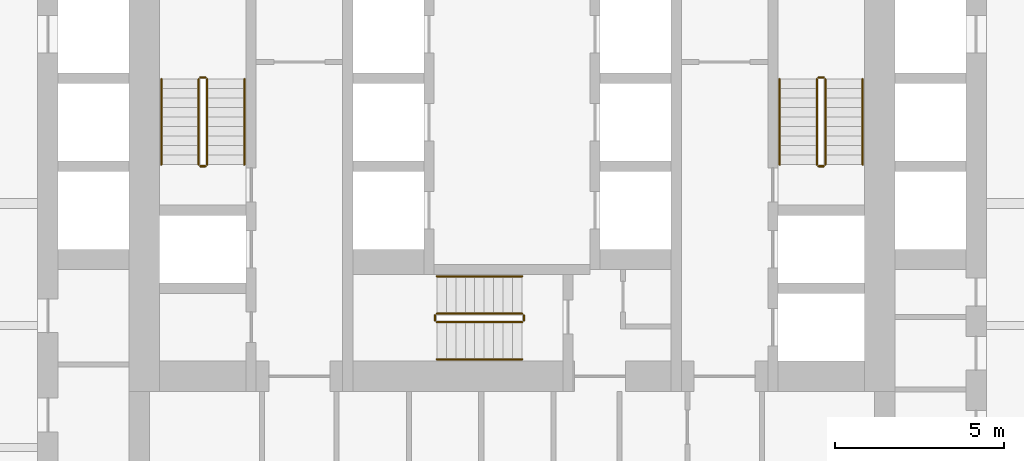
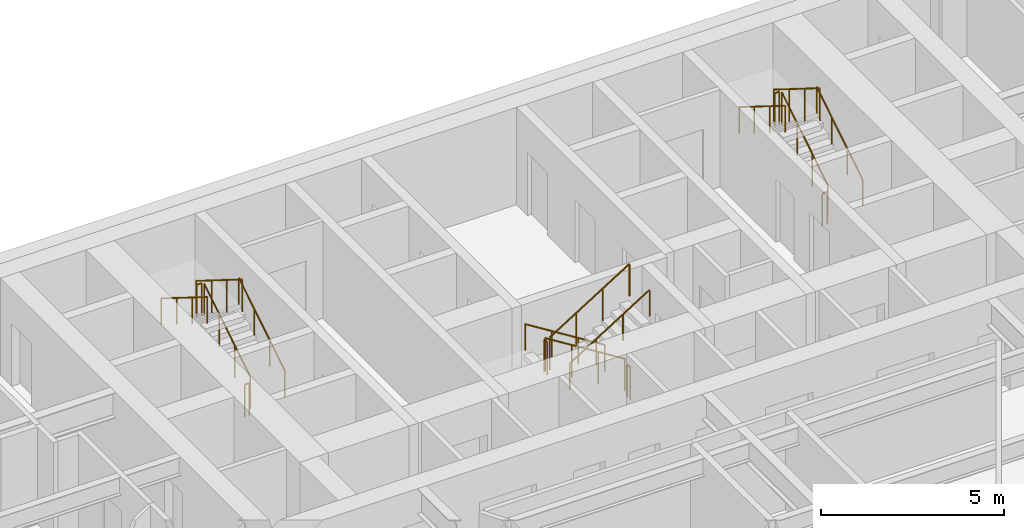
# One storey, part 9 of 10: 18 railings.
"""IFC4 building model written with IfcOpenShell, lengths in metres."""

from ifc_helpers import new_model, si_unit, direction, frame, origin, origin_2d, place, context, subcontext, project, spatial, circle, extrude, material, type_object, element, save


model = new_model("IFC4")

# Units and contexts
model_context = context("Model", 3, precision=1e-05, world=origin(), true_north=direction((0.0, 1.0)))
body_context = subcontext(model_context, "Body", "Model", "MODEL_VIEW")
ifc_project = project(units=[si_unit("LENGTHUNIT", "METRE"), si_unit("AREAUNIT", "SQUARE_METRE"), si_unit("VOLUMEUNIT", "CUBIC_METRE"), si_unit("PLANEANGLEUNIT", "RADIAN"), si_unit("MASSUNIT", "GRAM", prefix="KILO")], contexts=[model_context])

# Site, building, storey
site_placement = place(None, origin())
site = spatial("IfcSite", under=ifc_project, at=site_placement, CompositionType="ELEMENT")
building_placement = place(site_placement, origin())
building = spatial("IfcBuilding", under=site, at=building_placement, Name="Aloe Facet Convention Tower", CompositionType="ELEMENT")
storey_placement = place(building_placement, frame((0.0, 0.0, 73.5)))
storey = spatial("IfcBuildingStorey", under=building, at=storey_placement, Name="L17", CompositionType="ELEMENT", Elevation=73.5)

# Railings
ifc_material_1 = material(Name="Steel S355 balustrade", Category="steel")
railing_type_1 = type_object("IfcRailingType", Name="CR-RL-GUARD", PredefinedType="GUARDRAIL", material=ifc_material_1)
railing_1_placement = place(storey_placement, frame((71.0, 128.949951171875, 0.175048828125)))
element("IfcRailing", 1, at=railing_1_placement, inside=storey, type_object=railing_type_1, Name="L17 ST1 stair guard 1", PredefinedType="GUARDRAIL", context=body_context, shape_type="SweptSolid", body=[
    extrude(circle(Radius=0.02392578125, at=origin_2d()), frame((0.0, 0.0, 1.076171875), z_axis=(0.0, 0.848007534815, 0.529984170421), x_axis=(-1.0, 0.0, 0.0)), (0.0, 0.0, 1.0), 2.9716796875),
    extrude(circle(Radius=0.02099609375, at=origin_2d()), origin(), (0.0, 0.0, 1.0), 1.052001953125),
    extrude(circle(Radius=0.02099609375, at=origin_2d()), frame((0.0, 0.840087890625, 0.52490234375)), (0.0, 0.0, 1.0), 1.052001953125),
    extrude(circle(Radius=0.02099609375, at=origin_2d()), frame((0.0, 1.679931640625, 1.050048828125)), (0.0, 0.0, 1.0), 1.052001953125),
    extrude(circle(Radius=0.02099609375, at=origin_2d()), frame((0.0, 2.52001953125, 1.574951171875)), (0.0, 0.0, 1.0), 1.052001953125),
])
railing_2_placement = place(storey_placement, frame((70.949951171875, 131.52001953125, 1.75)))
element("IfcRailing", 2, at=railing_2_placement, inside=storey, type_object=railing_type_1, Name="L17 ST1 stair guard 2", PredefinedType="GUARDRAIL", context=body_context, shape_type="SweptSolid", body=[
    extrude(circle(Radius=0.02392578125, at=origin_2d()), frame((0.0, 0.0, 1.076171875), z_axis=(-1.0, 0.0, 0.0), x_axis=(0.0, -1.0, 0.0)), (0.0, 0.0, 1.0), 0.14990234375),
    extrude(circle(Radius=0.02099609375, at=origin_2d()), origin(), (0.0, 0.0, 1.0), 1.052001953125),
    extrude(circle(Radius=0.02099609375, at=origin_2d()), frame((-0.14990234375, 0.0, 0.0)), (0.0, 0.0, 1.0), 1.052001953125),
])
railing_3_placement = place(storey_placement, frame((70.75, 131.469970703125, 1.925048828125)))
element("IfcRailing", 3, at=railing_3_placement, inside=storey, type_object=railing_type_1, Name="L17 ST1 stair guard 3", PredefinedType="GUARDRAIL", context=body_context, shape_type="SweptSolid", body=[
    extrude(circle(Radius=0.02392578125, at=origin_2d()), frame((0.0, 0.0, 1.076171875), z_axis=(0.0, -0.848007534815, 0.529984170421), x_axis=(1.0, 0.0, 0.0)), (0.0, 0.0, 1.0), 2.9716796875),
    extrude(circle(Radius=0.02099609375, at=origin_2d()), origin(), (0.0, 0.0, 1.0), 1.052001953125),
    extrude(circle(Radius=0.02099609375, at=origin_2d()), frame((0.0, -0.840087890625, 0.52490234375)), (0.0, 0.0, 1.0), 1.052001953125),
    extrude(circle(Radius=0.02099609375, at=origin_2d()), frame((0.0, -1.679931640625, 1.050048828125)), (0.0, 0.0, 1.0), 1.052001953125),
    extrude(circle(Radius=0.02099609375, at=origin_2d()), frame((0.0, -2.52001953125, 1.574951171875)), (0.0, 0.0, 1.0), 1.052001953125),
])
railing_4_placement = place(storey_placement, frame((70.949951171875, 128.89990234375, 0.0)))
element("IfcRailing", 4, at=railing_4_placement, inside=storey, type_object=railing_type_1, Name="L17 ST1 stair guard 4", PredefinedType="GUARDRAIL", context=body_context, shape_type="SweptSolid", body=[
    extrude(circle(Radius=0.02392578125, at=origin_2d()), frame((0.0, 0.0, 1.076171875), z_axis=(-1.0, 0.0, 0.0), x_axis=(0.0, -1.0, 0.0)), (0.0, 0.0, 1.0), 0.14990234375),
    extrude(circle(Radius=0.02099609375, at=origin_2d()), origin(), (0.0, 0.0, 1.0), 1.052001953125),
    extrude(circle(Radius=0.02099609375, at=origin_2d()), frame((-0.14990234375, 0.0, 0.0)), (0.0, 0.0, 1.0), 1.052001953125),
])
railing_5_placement = place(storey_placement, frame((89.25, 128.949951171875, 0.175048828125)))
element("IfcRailing", 5, at=railing_5_placement, inside=storey, type_object=railing_type_1, Name="L17 ST2 stair guard 1", PredefinedType="GUARDRAIL", context=body_context, shape_type="SweptSolid", body=[
    extrude(circle(Radius=0.02392578125, at=origin_2d()), frame((0.0, 0.0, 1.076171875), z_axis=(0.0, 0.848007534815, 0.529984170421), x_axis=(-1.0, 0.0, 0.0)), (0.0, 0.0, 1.0), 2.9716796875),
    extrude(circle(Radius=0.02099609375, at=origin_2d()), origin(), (0.0, 0.0, 1.0), 1.052001953125),
    extrude(circle(Radius=0.02099609375, at=origin_2d()), frame((0.0, 0.840087890625, 0.52490234375)), (0.0, 0.0, 1.0), 1.052001953125),
    extrude(circle(Radius=0.02099609375, at=origin_2d()), frame((0.0, 1.679931640625, 1.050048828125)), (0.0, 0.0, 1.0), 1.052001953125),
    extrude(circle(Radius=0.02099609375, at=origin_2d()), frame((0.0, 2.52001953125, 1.574951171875)), (0.0, 0.0, 1.0), 1.052001953125),
])
railing_6_placement = place(storey_placement, frame((89.199951171875, 131.52001953125, 1.75)))
element("IfcRailing", 6, at=railing_6_placement, inside=storey, type_object=railing_type_1, Name="L17 ST2 stair guard 2", PredefinedType="GUARDRAIL", context=body_context, shape_type="SweptSolid", body=[
    extrude(circle(Radius=0.02392578125, at=origin_2d()), frame((0.0, 0.0, 1.076171875), z_axis=(-1.0, 0.0, 0.0), x_axis=(0.0, -1.0, 0.0)), (0.0, 0.0, 1.0), 0.14990234375),
    extrude(circle(Radius=0.02099609375, at=origin_2d()), origin(), (0.0, 0.0, 1.0), 1.052001953125),
    extrude(circle(Radius=0.02099609375, at=origin_2d()), frame((-0.14990234375, 0.0, 0.0)), (0.0, 0.0, 1.0), 1.052001953125),
])
railing_7_placement = place(storey_placement, frame((89.0, 131.469970703125, 1.925048828125)))
element("IfcRailing", 7, at=railing_7_placement, inside=storey, type_object=railing_type_1, Name="L17 ST2 stair guard 3", PredefinedType="GUARDRAIL", context=body_context, shape_type="SweptSolid", body=[
    extrude(circle(Radius=0.02392578125, at=origin_2d()), frame((0.0, 0.0, 1.076171875), z_axis=(0.0, -0.848007534815, 0.529984170421), x_axis=(1.0, 0.0, 0.0)), (0.0, 0.0, 1.0), 2.9716796875),
    extrude(circle(Radius=0.02099609375, at=origin_2d()), origin(), (0.0, 0.0, 1.0), 1.052001953125),
    extrude(circle(Radius=0.02099609375, at=origin_2d()), frame((0.0, -0.840087890625, 0.52490234375)), (0.0, 0.0, 1.0), 1.052001953125),
    extrude(circle(Radius=0.02099609375, at=origin_2d()), frame((0.0, -1.679931640625, 1.050048828125)), (0.0, 0.0, 1.0), 1.052001953125),
    extrude(circle(Radius=0.02099609375, at=origin_2d()), frame((0.0, -2.52001953125, 1.574951171875)), (0.0, 0.0, 1.0), 1.052001953125),
])
railing_8_placement = place(storey_placement, frame((89.199951171875, 128.89990234375, 0.0)))
element("IfcRailing", 8, at=railing_8_placement, inside=storey, type_object=railing_type_1, Name="L17 ST2 stair guard 4", PredefinedType="GUARDRAIL", context=body_context, shape_type="SweptSolid", body=[
    extrude(circle(Radius=0.02392578125, at=origin_2d()), frame((0.0, 0.0, 1.076171875), z_axis=(-1.0, 0.0, 0.0), x_axis=(0.0, -1.0, 0.0)), (0.0, 0.0, 1.0), 0.14990234375),
    extrude(circle(Radius=0.02099609375, at=origin_2d()), origin(), (0.0, 0.0, 1.0), 1.052001953125),
    extrude(circle(Radius=0.02099609375, at=origin_2d()), frame((-0.14990234375, 0.0, 0.0)), (0.0, 0.0, 1.0), 1.052001953125),
])
railing_9_placement = place(storey_placement, frame((80.300048828125, 124.550048828125, 0.175048828125)))
element("IfcRailing", 9, at=railing_9_placement, inside=storey, type_object=railing_type_1, Name="L17 ST3 stair guard 1", PredefinedType="GUARDRAIL", context=body_context, shape_type="SweptSolid", body=[
    extrude(circle(Radius=0.02392578125, at=origin_2d()), frame((0.0, 0.0, 1.076171875), z_axis=(-0.848007534815, 0.0, 0.529984170421), x_axis=(0.0, -1.0, 0.0)), (0.0, 0.0, 1.0), 2.9716796875),
    extrude(circle(Radius=0.02099609375, at=origin_2d()), origin(), (0.0, 0.0, 1.0), 1.052001953125),
    extrude(circle(Radius=0.02099609375, at=origin_2d()), frame((-0.840087890625, 0.0, 0.52490234375)), (0.0, 0.0, 1.0), 1.052001953125),
    extrude(circle(Radius=0.02099609375, at=origin_2d()), frame((-1.679931640625, 0.0, 1.050048828125)), (0.0, 0.0, 1.0), 1.052001953125),
    extrude(circle(Radius=0.02099609375, at=origin_2d()), frame((-2.52001953125, 0.0, 1.574951171875)), (0.0, 0.0, 1.0), 1.052001953125),
])
railing_10_placement = place(storey_placement, frame((77.72998046875, 124.5, 1.75)))
element("IfcRailing", 10, at=railing_10_placement, inside=storey, type_object=railing_type_1, Name="L17 ST3 stair guard 2", PredefinedType="GUARDRAIL", context=body_context, shape_type="SweptSolid", body=[
    extrude(circle(Radius=0.02392578125, at=origin_2d()), frame((0.0, 0.0, 1.076171875), z_axis=(0.0, -1.0, 0.0), x_axis=(1.0, 0.0, 0.0)), (0.0, 0.0, 1.0), 0.14990234375),
    extrude(circle(Radius=0.02099609375, at=origin_2d()), origin(), (0.0, 0.0, 1.0), 1.052001953125),
    extrude(circle(Radius=0.02099609375, at=origin_2d()), frame((0.0, -0.14990234375, 0.0)), (0.0, 0.0, 1.0), 1.052001953125),
])
railing_11_placement = place(storey_placement, frame((77.780029296875, 124.300048828125, 1.925048828125)))
element("IfcRailing", 11, at=railing_11_placement, inside=storey, type_object=railing_type_1, Name="L17 ST3 stair guard 3", PredefinedType="GUARDRAIL", context=body_context, shape_type="SweptSolid", body=[
    extrude(circle(Radius=0.02392578125, at=origin_2d()), frame((0.0, 0.0, 1.076171875), z_axis=(0.848007534815, 0.0, 0.529984170421), x_axis=(0.0, 1.0, 0.0)), (0.0, 0.0, 1.0), 2.9716796875),
    extrude(circle(Radius=0.02099609375, at=origin_2d()), origin(), (0.0, 0.0, 1.0), 1.052001953125),
    extrude(circle(Radius=0.02099609375, at=origin_2d()), frame((0.840087890625, 0.0, 0.52490234375)), (0.0, 0.0, 1.0), 1.052001953125),
    extrude(circle(Radius=0.02099609375, at=origin_2d()), frame((1.679931640625, 0.0, 1.050048828125)), (0.0, 0.0, 1.0), 1.052001953125),
    extrude(circle(Radius=0.02099609375, at=origin_2d()), frame((2.52001953125, 0.0, 1.574951171875)), (0.0, 0.0, 1.0), 1.052001953125),
])
railing_12_placement = place(storey_placement, frame((80.35009765625, 124.5, 0.0)))
element("IfcRailing", 12, at=railing_12_placement, inside=storey, type_object=railing_type_1, Name="L17 ST3 stair guard 4", PredefinedType="GUARDRAIL", context=body_context, shape_type="SweptSolid", body=[
    extrude(circle(Radius=0.02392578125, at=origin_2d()), frame((0.0, 0.0, 1.076171875), z_axis=(0.0, -1.0, 0.0), x_axis=(1.0, 0.0, 0.0)), (0.0, 0.0, 1.0), 0.14990234375),
    extrude(circle(Radius=0.02099609375, at=origin_2d()), origin(), (0.0, 0.0, 1.0), 1.052001953125),
    extrude(circle(Radius=0.02099609375, at=origin_2d()), frame((0.0, -0.14990234375, 0.0)), (0.0, 0.0, 1.0), 1.052001953125),
])
ifc_material_2 = material(Name="Steel S355 handrail", Category="steel")
railing_type_2 = type_object("IfcRailingType", Name="CR-RL-HAND", PredefinedType="HANDRAIL", material=ifc_material_2)
railing_13_placement = place(storey_placement, frame((72.10009765625, 128.949951171875, 0.175048828125)))
element("IfcRailing", 13, at=railing_13_placement, inside=storey, type_object=railing_type_2, Name="L17 ST1 stair handrail 1", PredefinedType="HANDRAIL", context=body_context, shape_type="SweptSolid", body=[
    extrude(circle(Radius=0.02392578125, at=origin_2d()), frame((0.0, 0.0, 0.8759765625), z_axis=(0.0, 0.848007534815, 0.529984170421), x_axis=(-1.0, 0.0, 0.0)), (0.0, 0.0, 1.0), 2.9716796875),
    extrude(circle(Radius=0.02099609375, at=origin_2d()), origin(), (0.0, 0.0, 1.0), 0.851806640625),
    extrude(circle(Radius=0.02099609375, at=origin_2d()), frame((0.0, 0.840087890625, 0.52490234375)), (0.0, 0.0, 1.0), 0.851806640625),
    extrude(circle(Radius=0.02099609375, at=origin_2d()), frame((0.0, 1.679931640625, 1.050048828125)), (0.0, 0.0, 1.0), 0.851806640625),
    extrude(circle(Radius=0.02099609375, at=origin_2d()), frame((0.0, 2.52001953125, 1.574951171875)), (0.0, 0.0, 1.0), 0.851806640625),
])
railing_14_placement = place(storey_placement, frame((69.64990234375, 131.469970703125, 1.925048828125)))
element("IfcRailing", 14, at=railing_14_placement, inside=storey, type_object=railing_type_2, Name="L17 ST1 stair handrail 2", PredefinedType="HANDRAIL", context=body_context, shape_type="SweptSolid", body=[
    extrude(circle(Radius=0.02392578125, at=origin_2d()), frame((0.0, 0.0, 0.8759765625), z_axis=(0.0, -0.848007534815, 0.529984170421), x_axis=(1.0, 0.0, 0.0)), (0.0, 0.0, 1.0), 2.9716796875),
    extrude(circle(Radius=0.02099609375, at=origin_2d()), origin(), (0.0, 0.0, 1.0), 0.851806640625),
    extrude(circle(Radius=0.02099609375, at=origin_2d()), frame((0.0, -0.840087890625, 0.52490234375)), (0.0, 0.0, 1.0), 0.851806640625),
    extrude(circle(Radius=0.02099609375, at=origin_2d()), frame((0.0, -1.679931640625, 1.050048828125)), (0.0, 0.0, 1.0), 0.851806640625),
    extrude(circle(Radius=0.02099609375, at=origin_2d()), frame((0.0, -2.52001953125, 1.574951171875)), (0.0, 0.0, 1.0), 0.851806640625),
])
railing_15_placement = place(storey_placement, frame((90.35009765625, 128.949951171875, 0.175048828125)))
element("IfcRailing", 15, at=railing_15_placement, inside=storey, type_object=railing_type_2, Name="L17 ST2 stair handrail 1", PredefinedType="HANDRAIL", context=body_context, shape_type="SweptSolid", body=[
    extrude(circle(Radius=0.02392578125, at=origin_2d()), frame((0.0, 0.0, 0.8759765625), z_axis=(0.0, 0.848007534815, 0.529984170421), x_axis=(-1.0, 0.0, 0.0)), (0.0, 0.0, 1.0), 2.9716796875),
    extrude(circle(Radius=0.02099609375, at=origin_2d()), origin(), (0.0, 0.0, 1.0), 0.851806640625),
    extrude(circle(Radius=0.02099609375, at=origin_2d()), frame((0.0, 0.840087890625, 0.52490234375)), (0.0, 0.0, 1.0), 0.851806640625),
    extrude(circle(Radius=0.02099609375, at=origin_2d()), frame((0.0, 1.679931640625, 1.050048828125)), (0.0, 0.0, 1.0), 0.851806640625),
    extrude(circle(Radius=0.02099609375, at=origin_2d()), frame((0.0, 2.52001953125, 1.574951171875)), (0.0, 0.0, 1.0), 0.851806640625),
])
railing_16_placement = place(storey_placement, frame((87.89990234375, 131.469970703125, 1.925048828125)))
element("IfcRailing", 16, at=railing_16_placement, inside=storey, type_object=railing_type_2, Name="L17 ST2 stair handrail 2", PredefinedType="HANDRAIL", context=body_context, shape_type="SweptSolid", body=[
    extrude(circle(Radius=0.02392578125, at=origin_2d()), frame((0.0, 0.0, 0.8759765625), z_axis=(0.0, -0.848007534815, 0.529984170421), x_axis=(1.0, 0.0, 0.0)), (0.0, 0.0, 1.0), 2.9716796875),
    extrude(circle(Radius=0.02099609375, at=origin_2d()), origin(), (0.0, 0.0, 1.0), 0.851806640625),
    extrude(circle(Radius=0.02099609375, at=origin_2d()), frame((0.0, -0.840087890625, 0.52490234375)), (0.0, 0.0, 1.0), 0.851806640625),
    extrude(circle(Radius=0.02099609375, at=origin_2d()), frame((0.0, -1.679931640625, 1.050048828125)), (0.0, 0.0, 1.0), 0.851806640625),
    extrude(circle(Radius=0.02099609375, at=origin_2d()), frame((0.0, -2.52001953125, 1.574951171875)), (0.0, 0.0, 1.0), 0.851806640625),
])
railing_17_placement = place(storey_placement, frame((80.300048828125, 125.64990234375, 0.175048828125)))
element("IfcRailing", 17, at=railing_17_placement, inside=storey, type_object=railing_type_2, Name="L17 ST3 stair handrail 1", PredefinedType="HANDRAIL", context=body_context, shape_type="SweptSolid", body=[
    extrude(circle(Radius=0.02392578125, at=origin_2d()), frame((0.0, 0.0, 0.8759765625), z_axis=(-0.848007534815, 0.0, 0.529984170421), x_axis=(0.0, -1.0, 0.0)), (0.0, 0.0, 1.0), 2.9716796875),
    extrude(circle(Radius=0.02099609375, at=origin_2d()), origin(), (0.0, 0.0, 1.0), 0.851806640625),
    extrude(circle(Radius=0.02099609375, at=origin_2d()), frame((-0.840087890625, 0.0, 0.52490234375)), (0.0, 0.0, 1.0), 0.851806640625),
    extrude(circle(Radius=0.02099609375, at=origin_2d()), frame((-1.679931640625, 0.0, 1.050048828125)), (0.0, 0.0, 1.0), 0.851806640625),
    extrude(circle(Radius=0.02099609375, at=origin_2d()), frame((-2.52001953125, 0.0, 1.574951171875)), (0.0, 0.0, 1.0), 0.851806640625),
])
railing_18_placement = place(storey_placement, frame((77.780029296875, 123.199951171875, 1.925048828125)))
element("IfcRailing", 18, at=railing_18_placement, inside=storey, type_object=railing_type_2, Name="L17 ST3 stair handrail 2", PredefinedType="HANDRAIL", context=body_context, shape_type="SweptSolid", body=[
    extrude(circle(Radius=0.02392578125, at=origin_2d()), frame((0.0, 0.0, 0.8759765625), z_axis=(0.848007534815, 0.0, 0.529984170421), x_axis=(0.0, 1.0, 0.0)), (0.0, 0.0, 1.0), 2.9716796875),
    extrude(circle(Radius=0.02099609375, at=origin_2d()), origin(), (0.0, 0.0, 1.0), 0.851806640625),
    extrude(circle(Radius=0.02099609375, at=origin_2d()), frame((0.840087890625, 0.0, 0.52490234375)), (0.0, 0.0, 1.0), 0.851806640625),
    extrude(circle(Radius=0.02099609375, at=origin_2d()), frame((1.679931640625, 0.0, 1.050048828125)), (0.0, 0.0, 1.0), 0.851806640625),
    extrude(circle(Radius=0.02099609375, at=origin_2d()), frame((2.52001953125, 0.0, 1.574951171875)), (0.0, 0.0, 1.0), 0.851806640625),
])

save(model, "model.ifc")
